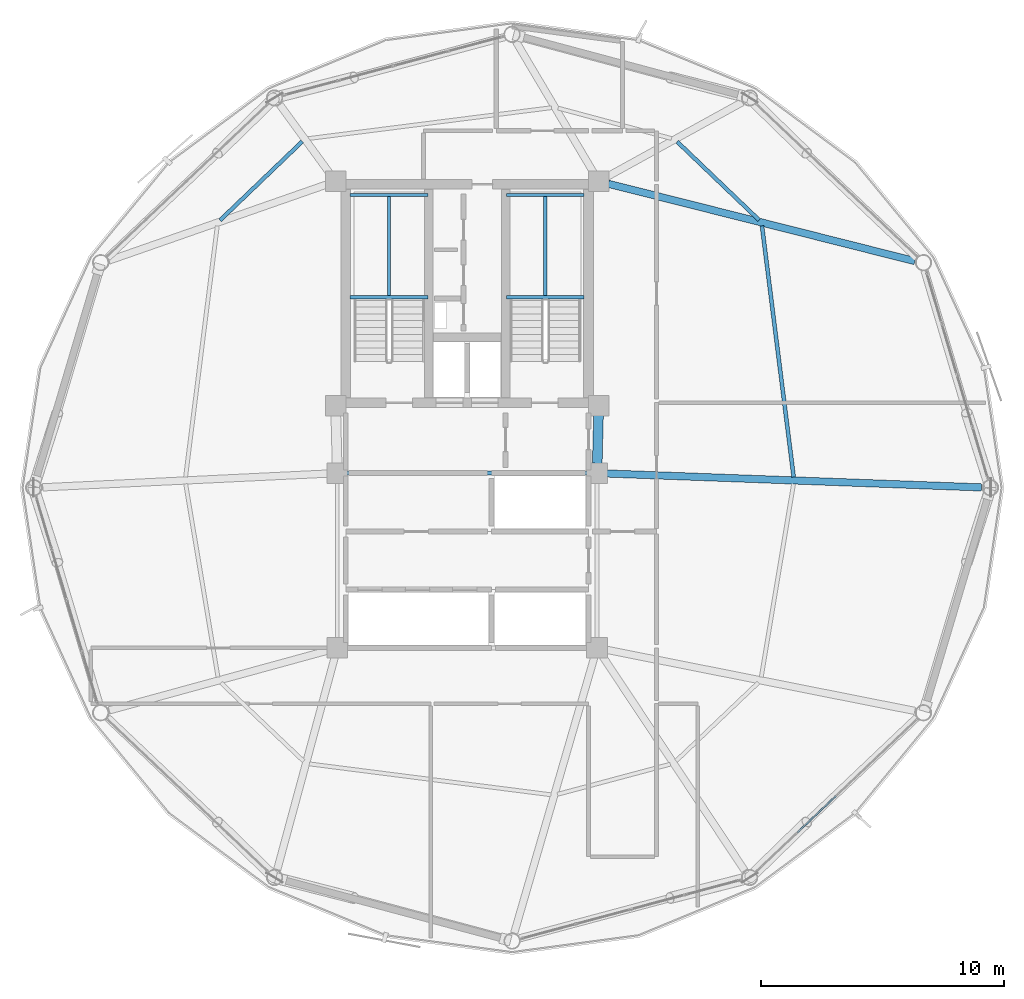
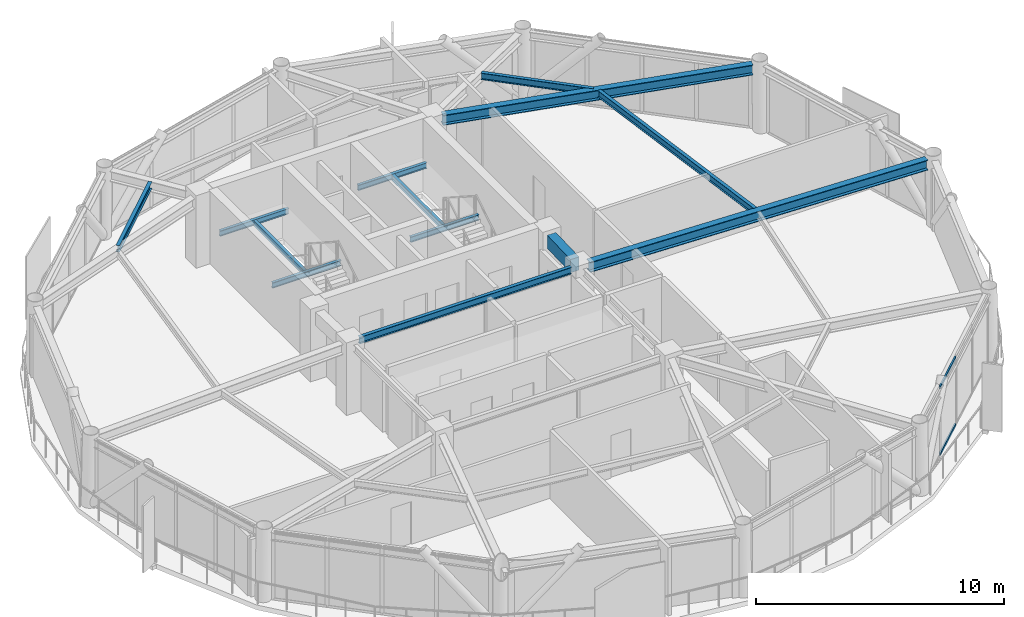
# One storey, part 15 of 29: 13 beams, 2 members, 1 element without a shape of its own.
"""IFC4 building model written with IfcOpenShell, lengths in metres."""

from ifc_helpers import new_model, si_unit, direction, frame, origin, origin_2d, place, context, subcontext, project, spatial, rectangle, hollow_rectangle, i_section, extrude, material, layer, layer_set, material_profile, profile_set, type_object, element, aggregate, save


model = new_model("IFC4")

# Units and contexts
model_context = context("Model", 3, precision=1e-05, world=origin(), true_north=direction((0.0, 1.0)))
body_context = subcontext(model_context, "Body", "Model", "MODEL_VIEW")
ifc_project = project(units=[si_unit("LENGTHUNIT", "METRE"), si_unit("AREAUNIT", "SQUARE_METRE"), si_unit("VOLUMEUNIT", "CUBIC_METRE"), si_unit("PLANEANGLEUNIT", "RADIAN"), si_unit("MASSUNIT", "GRAM", prefix="KILO")], contexts=[model_context])

# Site, building, storey
site_placement = place(None, origin())
site = spatial("IfcSite", under=ifc_project, at=site_placement, CompositionType="ELEMENT")
building_placement = place(site_placement, origin())
building = spatial("IfcBuilding", under=site, at=building_placement, Name="Varnakorn Sky Granary", CompositionType="ELEMENT")
storey_placement = place(building_placement, frame((0.0, 0.0, 182.39990234375)))
storey = spatial("IfcBuildingStorey", under=building, at=storey_placement, Name="L45", CompositionType="ELEMENT", Elevation=182.39990234375)

# Beams
ifc_material_1 = material(Name="Concrete C50/60", Category="concrete")
ifc_material_profile_1 = material_profile(ifc_material_1, rectangle(XDim=0.39990234375, YDim=0.64990234375, at=origin_2d()), Name="RC 400x650")
ifc_profile_set_1 = profile_set([ifc_material_profile_1], Name="Concrete C50/60")
beam_type_1 = type_object("IfcBeamType", Name="BM-LIN-650", PredefinedType="LINTEL", material=ifc_profile_set_1)
beam_1_placement = place(storey_placement, frame((8.409912109375, 2.97509765625, 3.03515625), z_axis=(-0.025270737467, -0.99968064392, 0.0), x_axis=(0.99968064392, -0.025270737467, 0.0)))
element("IfcBeam", 1, at=beam_1_placement, inside=storey, type_object=beam_type_1, Name="Core Spine Framing Beam 2 L45", PredefinedType="LINTEL", context=body_context, shape_type="SweptSolid", body=[
    extrude(rectangle(XDim=0.39990234375, YDim=0.64990234375, at=origin_2d()), origin(), (0.0, 0.0, 1.0), 1.970947265625),
])
ifc_material_2 = material(Name="Steel S355JR", Category="steel")
ifc_material_profile_2 = material_profile(ifc_material_2, i_section(OverallWidth=0.135009765625, OverallDepth=0.27001953125, WebThickness=0.006591796875, FlangeThickness=0.01025390625, at=origin_2d()), Name="IPE 270")
ifc_profile_set_2 = profile_set([ifc_material_profile_2], Name="Steel S355JR")
beam_type_2 = type_object("IfcBeamType", Name="BM-LND-270", PredefinedType="BEAM", material=ifc_profile_set_2)
for number, where, z_axis, x_axis, name in (
    (2, (-1.820068359375, 7.840087890625, 1.465087890625), (1.0, 0.0, 0.0), (0.0, 1.0, 0.0), "Stair ST-1 Landing Trimmer Beam A L45-1"),
    (3, (-1.820068359375, 12.06005859375, 1.465087890625), (1.0, 0.0, 0.0), (0.0, 1.0, 0.0), "Stair ST-1 Landing Trimmer Beam B L45-1"),
):
    element("IfcBeam", number, at=place(storey_placement, frame(where, z_axis=z_axis, x_axis=x_axis)), inside=storey, type_object=beam_type_2, Name=name, PredefinedType="BEAM", context=body_context, shape_type="SweptSolid", body=[
        extrude(i_section(OverallWidth=0.135009765625, OverallDepth=0.27001953125, WebThickness=0.006591796875, FlangeThickness=0.01025390625, at=origin_2d()), origin(), (0.0, 0.0, 1.0), 3.199951171875),
    ])
beam_2_placement = place(storey_placement, frame((-0.219970703125, 7.840087890625, 1.465087890625), z_axis=(0.0, 1.0, 0.0), x_axis=(-1.0, 0.0, 0.0)))
element("IfcBeam", 4, at=beam_2_placement, inside=storey, type_object=beam_type_2, Name="Stair ST-1 Landing Cross Beam C L45-1", PredefinedType="BEAM", context=body_context, shape_type="SweptSolid", body=[
    extrude(i_section(OverallWidth=0.135009765625, OverallDepth=0.27001953125, WebThickness=0.006591796875, FlangeThickness=0.01025390625, at=origin_2d()), origin(), (0.0, 0.0, 1.0), 4.219970703125),
])
for number, where, z_axis, x_axis, name in (
    (5, (4.6201171875, 7.840087890625, 1.465087890625), (1.0, 0.0, 0.0), (0.0, 1.0, 0.0), "Stair ST-2 Landing Trimmer Beam A L45-1"),
    (6, (4.6201171875, 12.06005859375, 1.465087890625), (1.0, 0.0, 0.0), (0.0, 1.0, 0.0), "Stair ST-2 Landing Trimmer Beam B L45-1"),
):
    element("IfcBeam", number, at=place(storey_placement, frame(where, z_axis=z_axis, x_axis=x_axis)), inside=storey, type_object=beam_type_2, Name=name, PredefinedType="BEAM", context=body_context, shape_type="SweptSolid", body=[
        extrude(i_section(OverallWidth=0.135009765625, OverallDepth=0.27001953125, WebThickness=0.006591796875, FlangeThickness=0.01025390625, at=origin_2d()), origin(), (0.0, 0.0, 1.0), 3.199951171875),
    ])
beam_3_placement = place(storey_placement, frame((6.219970703125, 7.840087890625, 1.465087890625), z_axis=(0.0, 1.0, 0.0), x_axis=(-1.0, 0.0, 0.0)))
element("IfcBeam", 7, at=beam_3_placement, inside=storey, type_object=beam_type_2, Name="Stair ST-2 Landing Cross Beam C L45-1", PredefinedType="BEAM", context=body_context, shape_type="SweptSolid", body=[
    extrude(i_section(OverallWidth=0.135009765625, OverallDepth=0.27001953125, WebThickness=0.006591796875, FlangeThickness=0.01025390625, at=origin_2d()), origin(), (0.0, 0.0, 1.0), 4.219970703125),
])
ifc_material_profile_3 = material_profile(ifc_material_2, i_section(OverallWidth=0.300048828125, OverallDepth=0.5, WebThickness=0.014404296875, FlangeThickness=0.028076171875, at=origin_2d()), Name="HE 500 B")
ifc_profile_set_3 = profile_set([ifc_material_profile_3], Name="Steel S355JR")
beam_type_3 = type_object("IfcBeamType", Name="BM-RAD-Z4", PredefinedType="BEAM", material=ifc_profile_set_3)
beam_4_placement = place(storey_placement, frame((8.754638671875, 0.5849609375, 3.110107421875), z_axis=(0.99931038562, -0.037131565974, 0.0), x_axis=(0.037131565974, 0.99931038562, 0.0)))
element("IfcBeam", 8, at=beam_4_placement, inside=storey, type_object=beam_type_3, Name="Radial Floor Girder RG01 L45", PredefinedType="BEAM", context=body_context, shape_type="SweptSolid", body=[
    extrude(i_section(OverallWidth=0.300048828125, OverallDepth=0.5, WebThickness=0.014404296875, FlangeThickness=0.028076171875, at=origin_2d()), origin(), (0.0, 0.0, 1.0), 15.438232421875),
])
beam_5_placement = place(storey_placement, frame((8.812744140625, 12.52099609375, 3.110107421875), z_axis=(0.969596515506, -0.244709209303, 0.0), x_axis=(0.244709209303, 0.969596515506, 0.0)))
element("IfcBeam", 9, at=beam_5_placement, inside=storey, type_object=beam_type_3, Name="Radial Floor Girder RG02 L45", PredefinedType="BEAM", context=body_context, shape_type="SweptSolid", body=[
    extrude(i_section(OverallWidth=0.300048828125, OverallDepth=0.5, WebThickness=0.014404296875, FlangeThickness=0.028076171875, at=origin_2d()), origin(), (0.0, 0.0, 1.0), 13.025634765625),
])
ifc_material_profile_4 = material_profile(ifc_material_2, i_section(OverallWidth=0.159912109375, OverallDepth=0.330078125, WebThickness=0.007568359375, FlangeThickness=0.011474609375, at=origin_2d()), Name="IPE 330")
ifc_profile_set_4 = profile_set([ifc_material_profile_4], Name="Steel S355JR")
beam_type_4 = type_object("IfcBeamType", Name="BM-SEC-Z4", PredefinedType="BEAM", material=ifc_profile_set_4)
beam_6_placement = place(storey_placement, frame((16.450927734375, 0.437255859375, 3.195068359375), z_axis=(-0.125169398858, 0.992135384708, 0.0), x_axis=(-0.992135384708, -0.125169398858, 0.0)))
element("IfcBeam", 10, at=beam_6_placement, inside=storey, type_object=beam_type_4, Name="Secondary Floor Chord Beam MSB01 L45", PredefinedType="BEAM", context=body_context, shape_type="SweptSolid", body=[
    extrude(i_section(OverallWidth=0.159912109375, OverallDepth=0.330078125, WebThickness=0.007568359375, FlangeThickness=0.011474609375, at=origin_2d()), origin(), (0.0, 0.0, 1.0), 10.43310546875),
])
beam_7_placement = place(storey_placement, frame((15.0263671875, 11.02392578125, 3.195068359375), z_axis=(-0.722520312427, 0.691349693086, 0.0), x_axis=(-0.691349693086, -0.722520312427, 0.0)))
element("IfcBeam", 11, at=beam_7_placement, inside=storey, type_object=beam_type_4, Name="Secondary Floor Chord Beam MSB02 L45", PredefinedType="BEAM", context=body_context, shape_type="SweptSolid", body=[
    extrude(i_section(OverallWidth=0.159912109375, OverallDepth=0.330078125, WebThickness=0.007568359375, FlangeThickness=0.011474609375, at=origin_2d()), origin(), (0.0, 0.0, 1.0), 4.668212890625),
])
beam_8_placement = place(storey_placement, frame((-3.79052734375, 14.265869140625, 3.195068359375), z_axis=(-0.721788784408, -0.692113394397, 0.0), x_axis=(0.692113394397, -0.721788784408, 0.0)))
element("IfcBeam", 12, at=beam_8_placement, inside=storey, type_object=beam_type_4, Name="Secondary Floor Chord Beam MSB05 L45", PredefinedType="BEAM", context=body_context, shape_type="SweptSolid", body=[
    extrude(i_section(OverallWidth=0.159912109375, OverallDepth=0.330078125, WebThickness=0.007568359375, FlangeThickness=0.011474609375, at=origin_2d()), origin(), (0.0, 0.0, 1.0), 4.689453125),
])
beam_9_placement = place(storey_placement, frame((-1.945068359375, 0.60009765625, 3.195068359375), z_axis=(1.0, 0.0, 0.0), x_axis=(0.0, 1.0, 0.0)))
element("IfcBeam", 13, at=beam_9_placement, inside=storey, type_object=beam_type_4, Name="Core Spine Framing Beam 5 L45", PredefinedType="BEAM", context=body_context, shape_type="SweptSolid", body=[
    extrude(i_section(OverallWidth=0.159912109375, OverallDepth=0.330078125, WebThickness=0.007568359375, FlangeThickness=0.011474609375, at=origin_2d()), origin(), (0.0, 0.0, 1.0), 9.89013671875),
])

# Curtain wall, members
ifc_material_3 = material(Name="Anodised Bronze Aluminium Alloy 6063-T6", Category="aluminium")
ifc_layer = layer(ifc_material_3, 0.169921875, Name="Anodised Bronze Aluminium Alloy 6063-T6")
ifc_layer_set = layer_set([ifc_layer], Name="Anodised Bronze Aluminium Alloy 6063-T6")
curtain_wall_type = type_object("IfcCurtainWallType", Name="CW-LAB-1", PredefinedType="USERDEFINED", material=ifc_layer_set)
curtain_wall_placement = place(storey_placement, origin())
curtain_wall = element("IfcCurtainWall", 14, at=curtain_wall_placement, inside=storey, type_object=curtain_wall_type, Name="Unitised Curtain Wall CW5 CW-L45-B11", ObjectType="CURTAIN WALL", PredefinedType="USERDEFINED")
ifc_material_profile_5 = material_profile(ifc_material_3, hollow_rectangle(XDim=0.070068359375, YDim=0.139892578125, WallThickness=0.00341796875, at=origin_2d()), Name="ALU TRAN 70x140")
ifc_profile_set_5 = profile_set([ifc_material_profile_5], Name="Anodised Bronze Aluminium Alloy 6063-T6")
member_type = type_object("IfcMemberType", Name="CW-LAB-1-TRAN", PredefinedType="USERDEFINED", material=ifc_profile_set_5)
member_1_placement = place(storey_placement, frame((18.19970703125, -12.690185546875, 0.03515625), z_axis=(-0.725978835909, -0.687717041968, 0.0), x_axis=(0.687717041968, -0.725978835909, 0.0)))
member_1 = element("IfcMember", 15, at=member_1_placement, type_object=member_type, Name="CW5 transom 3.1", ObjectType="TRANSOM", PredefinedType="USERDEFINED", context=body_context, shape_type="SweptSolid", body=[
    extrude(hollow_rectangle(XDim=0.070068359375, YDim=0.139892578125, WallThickness=0.00341796875, at=origin_2d()), origin(), (0.0, 0.0, 1.0), 2.207763671875),
])
member_2_placement = place(storey_placement, frame((18.19970703125, -12.690185546875, 3.3251953125), z_axis=(-0.725978835909, -0.687717041968, 0.0), x_axis=(0.687717041968, -0.725978835909, 0.0)))
member_2 = element("IfcMember", 16, at=member_2_placement, type_object=member_type, Name="CW5 transom 3.2", ObjectType="TRANSOM", PredefinedType="USERDEFINED", context=body_context, shape_type="SweptSolid", body=[
    extrude(hollow_rectangle(XDim=0.070068359375, YDim=0.139892578125, WallThickness=0.00341796875, at=origin_2d()), origin(), (0.0, 0.0, 1.0), 2.207763671875),
])
aggregate(curtain_wall, [member_1, member_2])

save(model, "model.ifc")
